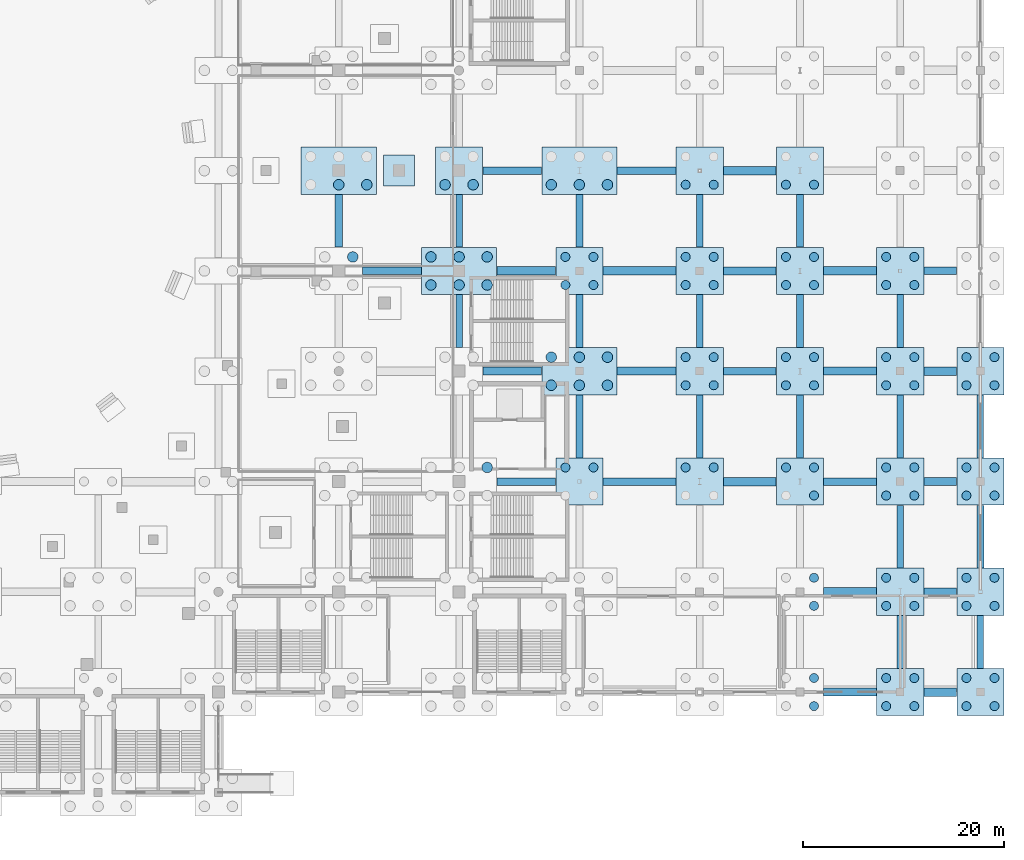
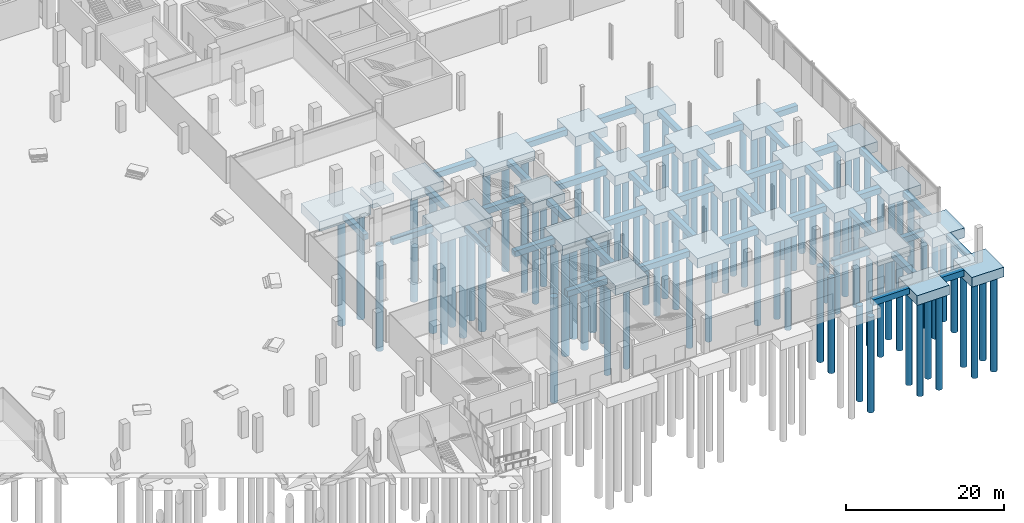
# One storey, part 7 of 70: 92 piles, 67 footings.
"""IFC4 building model written with IfcOpenShell, lengths in metres."""

from ifc_helpers import new_model, si_unit, direction, frame, origin, origin_2d, place, context, subcontext, project, spatial, rectangle, circle, extrude, material, layer, layer_set, material_profile, profile_set, type_object, element, save


model = new_model("IFC4")

# Units and contexts
model_context = context("Model", 3, precision=1e-05, world=origin(), true_north=direction((0.0, 1.0)))
body_context = subcontext(model_context, "Body", "Model", "MODEL_VIEW")
ifc_project = project(units=[si_unit("LENGTHUNIT", "METRE"), si_unit("AREAUNIT", "SQUARE_METRE"), si_unit("VOLUMEUNIT", "CUBIC_METRE"), si_unit("PLANEANGLEUNIT", "RADIAN"), si_unit("MASSUNIT", "GRAM", prefix="KILO")], contexts=[model_context])

# Site, building, storey
site_placement = place(None, origin())
site = spatial("IfcSite", under=ifc_project, at=site_placement, CompositionType="ELEMENT")
building_placement = place(site_placement, origin())
building = spatial("IfcBuilding", under=site, at=building_placement, Name="Brinegate Civic Arena", CompositionType="ELEMENT")
storey_placement = place(building_placement, origin())
storey = spatial("IfcBuildingStorey", under=building, at=storey_placement, Name="L00", CompositionType="ELEMENT", Elevation=0.0)

# Footings
ifc_material = material(Name="Concrete C40/50", Category="concrete")
ifc_layer_1 = layer(ifc_material, 1.5, Name="Concrete C40/50")
ifc_layer_set_1 = layer_set([ifc_layer_1], Name="Concrete C40/50")
footing_type_1 = type_object("IfcFootingType", Name="CAP-4PILE-3800", PredefinedType="PILE_CAP", material=ifc_layer_set_1)
for number, where, z_axis, x_axis, name in (
    (1, (156.0, 62.0, -1.800048828125), (0.0, 0.0, 1.0), (1.0, 0.0, 0.0), "Pile Cap CAP-150 (14-G)"),
    (2, (168.0, 31.0, -1.800048828125), (0.0, 0.0, 1.0), (1.0, 0.0, 0.0), "Pile Cap CAP-158 (15-D)"),
    (3, (168.0, 52.0, -1.800048828125), (0.0, 0.0, 1.0), (1.0, 0.0, 0.0), "Pile Cap CAP-160 (15-F)"),
    (4, (180.0, 31.0, -1.800048828125), (0.0, 0.0, 1.0), (1.0, 0.0, 0.0), "Pile Cap CAP-169 (16-D)"),
    (5, (180.0, 42.0, -1.800048828125), (0.0, 0.0, 1.0), (1.0, 0.0, 0.0), "Pile Cap CAP-170 (16-E)"),
    (6, (180.0, 52.0, -1.800048828125), (0.0, 0.0, 1.0), (1.0, 0.0, 0.0), "Pile Cap CAP-171 (16-F)"),
    (7, (180.0, 62.0, -1.800048828125), (0.0, 0.0, 1.0), (1.0, 0.0, 0.0), "Pile Cap CAP-172 (16-G)"),
    (8, (190.0, 31.0, -1.800048828125), (0.0, 0.0, 1.0), (1.0, 0.0, 0.0), "Pile Cap CAP-178 (17-D)"),
    (9, (190.0, 42.0, -1.800048828125), (0.0, 0.0, 1.0), (1.0, 0.0, 0.0), "Pile Cap CAP-179 (17-E)"),
    (10, (190.0, 52.0, -1.800048828125), (0.0, 0.0, 1.0), (1.0, 0.0, 0.0), "Pile Cap CAP-180 (17-F)"),
    (11, (190.0, 62.0, -1.800048828125), (0.0, 0.0, 1.0), (1.0, 0.0, 0.0), "Pile Cap CAP-181 (17-G)"),
    (12, (200.0, 10.0, -1.800048828125), (0.0, 0.0, 1.0), (1.0, 0.0, 0.0), "Pile Cap CAP-185 (18-B)"),
    (13, (200.0, 20.0, -1.800048828125), (0.0, 0.0, 1.0), (1.0, 0.0, 0.0), "Pile Cap CAP-186 (18-C)"),
    (14, (200.0, 31.0, -1.800048828125), (0.0, 0.0, 1.0), (1.0, 0.0, 0.0), "Pile Cap CAP-187 (18-D)"),
    (15, (200.0, 42.0, -1.800048828125), (0.0, 0.0, 1.0), (1.0, 0.0, 0.0), "Pile Cap CAP-188 (18-E)"),
    (16, (200.0, 52.0, -1.800048828125), (0.0, 0.0, 1.0), (1.0, 0.0, 0.0), "Pile Cap CAP-189 (18-F)"),
    (17, (208.0, 10.0, -1.800048828125), (0.0, 0.0, 1.0), (1.0, 0.0, 0.0), "Pile Cap CAP-194 (19-B)"),
    (18, (208.0, 20.0, -1.800048828125), (0.0, 0.0, 1.0), (1.0, 0.0, 0.0), "Pile Cap CAP-195 (19-C)"),
    (19, (208.0, 31.0, -1.800048828125), (0.0, 0.0, 1.0), (1.0, 0.0, 0.0), "Pile Cap CAP-196 (19-D)"),
    (20, (208.0, 42.0, -1.800048828125), (0.0, 0.0, 1.0), (1.0, 0.0, 0.0), "Pile Cap CAP-197 (19-E)"),
):
    element("IfcFooting", number, at=place(storey_placement, frame(where, z_axis=z_axis, x_axis=x_axis)), inside=storey, type_object=footing_type_1, Name=name, PredefinedType="PILE_CAP", context=body_context, shape_type="SweptSolid", body=[
        extrude(rectangle(XDim=4.699951171875, YDim=4.699951171875, at=origin_2d()), origin(), (0.0, 0.0, 1.0), 1.5),
    ])
ifc_layer_2 = layer(ifc_material, 1.5, Name="Concrete C40/50")
ifc_layer_set_2 = layer_set([ifc_layer_2], Name="Concrete C40/50")
footing_type_2 = type_object("IfcFootingType", Name="CAP-6PILE-5400", PredefinedType="PILE_CAP", material=ifc_layer_set_2)
for number, where, z_axis, x_axis, name in (
    (21, (144.0, 62.0, -1.800048828125), (0.0, 0.0, 1.0), (1.0, 0.0, 0.0), "Pile Cap CAP-139 (13-G)"),
    (22, (156.0, 52.0, -1.800048828125), (0.0, 0.0, 1.0), (1.0, 0.0, 0.0), "Pile Cap CAP-149 (14-F)"),
    (23, (168.0, 42.0, -1.800048828125), (0.0, 0.0, 1.0), (1.0, 0.0, 0.0), "Pile Cap CAP-159 (15-E)"),
    (24, (168.0, 62.0, -1.800048828125), (0.0, 0.0, 1.0), (1.0, 0.0, 0.0), "Pile Cap CAP-161 (15-G)"),
):
    element("IfcFooting", number, at=place(storey_placement, frame(where, z_axis=z_axis, x_axis=x_axis)), inside=storey, type_object=footing_type_2, Name=name, PredefinedType="PILE_CAP", context=body_context, shape_type="SweptSolid", body=[
        extrude(rectangle(XDim=7.5, YDim=4.699951171875, at=origin_2d()), origin(), (0.0, 0.0, 1.0), 1.5),
    ])
ifc_layer_3 = layer(ifc_material, 1.300048828125, Name="Concrete C40/50")
ifc_layer_set_3 = layer_set([ifc_layer_3], Name="Concrete C40/50")
footing_type_3 = type_object("IfcFootingType", Name="PAD-FOOT-3100", PredefinedType="PAD_FOOTING", material=ifc_layer_set_3)
footing_1_placement = place(storey_placement, frame((150.0, 62.0, -1.60009765625), z_axis=(0.0, 0.0, 1.0), x_axis=(1.0, 0.0, 0.0)))
element("IfcFooting", 25, at=footing_1_placement, inside=storey, type_object=footing_type_3, Name="Pad Footing PAD-019", PredefinedType="PAD_FOOTING", context=body_context, shape_type="SweptSolid", body=[
    extrude(rectangle(XDim=3.10009765625, YDim=3.10009765625, at=origin_2d()), origin(), (0.0, 0.0, 1.0), 1.300048828125),
])

# Piles
ifc_material_profile_1 = material_profile(ifc_material, circle(Radius=0.52490234375, at=origin_2d()), Name="PILED1050")
ifc_profile_set_1 = profile_set([ifc_material_profile_1], Name="Concrete C40/50")
pile_type_1 = type_object("IfcPileType", Name="PILE-BORED-1050", PredefinedType="BORED", material=ifc_profile_set_1)
for number, where, z_axis, x_axis, name in (
    (26, (145.39990234375, 53.39990234375, -1.699951171875), (0.0, 0.0, -1.0), (1.0, 0.0, 0.0), "Bored Socket Pile PIL-0488"),
    (27, (144.0, 60.60009765625, -1.699951171875), (0.0, 0.0, -1.0), (1.0, 0.0, 0.0), "Bored Socket Pile PIL-0490"),
    (28, (146.800048828125, 60.60009765625, -1.699951171875), (0.0, 0.0, -1.0), (1.0, 0.0, 0.0), "Bored Socket Pile PIL-0491"),
    (29, (158.800048828125, 32.39990234375, -1.699951171875), (0.0, 0.0, -1.0), (1.0, 0.0, 0.0), "Bored Socket Pile PIL-0534"),
    (30, (153.199951171875, 50.60009765625, -1.699951171875), (0.0, 0.0, -1.0), (1.0, 0.0, 0.0), "Bored Socket Pile PIL-0539"),
    (31, (156.0, 50.60009765625, -1.699951171875), (0.0, 0.0, -1.0), (1.0, 0.0, 0.0), "Bored Socket Pile PIL-0540"),
    (32, (158.800048828125, 50.60009765625, -1.699951171875), (0.0, 0.0, -1.0), (1.0, 0.0, 0.0), "Bored Socket Pile PIL-0541"),
    (33, (153.199951171875, 53.39990234375, -1.699951171875), (0.0, 0.0, -1.0), (1.0, 0.0, 0.0), "Bored Socket Pile PIL-0542"),
    (34, (156.0, 53.39990234375, -1.699951171875), (0.0, 0.0, -1.0), (1.0, 0.0, 0.0), "Bored Socket Pile PIL-0543"),
    (35, (158.800048828125, 53.39990234375, -1.699951171875), (0.0, 0.0, -1.0), (1.0, 0.0, 0.0), "Bored Socket Pile PIL-0544"),
    (36, (154.60009765625, 60.60009765625, -1.699951171875), (0.0, 0.0, -1.0), (1.0, 0.0, 0.0), "Bored Socket Pile PIL-0545"),
    (37, (157.39990234375, 60.60009765625, -1.699951171875), (0.0, 0.0, -1.0), (1.0, 0.0, 0.0), "Bored Socket Pile PIL-0546"),
    (38, (165.199951171875, 40.60009765625, -1.699951171875), (0.0, 0.0, -1.0), (1.0, 0.0, 0.0), "Bored Socket Pile PIL-0589"),
    (39, (168.0, 40.60009765625, -1.699951171875), (0.0, 0.0, -1.0), (1.0, 0.0, 0.0), "Bored Socket Pile PIL-0590"),
    (40, (170.800048828125, 40.60009765625, -1.699951171875), (0.0, 0.0, -1.0), (1.0, 0.0, 0.0), "Bored Socket Pile PIL-0591"),
    (41, (165.199951171875, 43.39990234375, -1.699951171875), (0.0, 0.0, -1.0), (1.0, 0.0, 0.0), "Bored Socket Pile PIL-0592"),
    (42, (168.0, 43.39990234375, -1.699951171875), (0.0, 0.0, -1.0), (1.0, 0.0, 0.0), "Bored Socket Pile PIL-0593"),
    (43, (170.800048828125, 43.39990234375, -1.699951171875), (0.0, 0.0, -1.0), (1.0, 0.0, 0.0), "Bored Socket Pile PIL-0594"),
    (44, (165.199951171875, 60.60009765625, -1.699951171875), (0.0, 0.0, -1.0), (1.0, 0.0, 0.0), "Bored Socket Pile PIL-0599"),
    (45, (168.0, 60.60009765625, -1.699951171875), (0.0, 0.0, -1.0), (1.0, 0.0, 0.0), "Bored Socket Pile PIL-0600"),
    (46, (170.800048828125, 60.60009765625, -1.699951171875), (0.0, 0.0, -1.0), (1.0, 0.0, 0.0), "Bored Socket Pile PIL-0601"),
):
    element("IfcPile", number, at=place(storey_placement, frame(where, z_axis=z_axis, x_axis=x_axis)), inside=storey, type_object=pile_type_1, Name=name, PredefinedType="BORED", context=body_context, shape_type="SweptSolid", body=[
        extrude(circle(Radius=0.52490234375, at=origin_2d()), origin(), (0.0, 0.0, 1.0), 16.300048828125),
    ])
ifc_material_profile_2 = material_profile(ifc_material, circle(Radius=0.449951171875, at=origin_2d()), Name="PILED900")
ifc_profile_set_2 = profile_set([ifc_material_profile_2], Name="Concrete C40/50")
pile_type_2 = type_object("IfcPileType", Name="PILE-BORED-900", PredefinedType="BORED", material=ifc_profile_set_2)
for number, where, z_axis, x_axis, name in (
    (47, (166.60009765625, 32.39990234375, -1.699951171875), (0.0, 0.0, -1.0), (1.0, 0.0, 0.0), "Bored Socket Pile PIL-0587"),
    (48, (169.39990234375, 32.39990234375, -1.699951171875), (0.0, 0.0, -1.0), (1.0, 0.0, 0.0), "Bored Socket Pile PIL-0588"),
    (49, (166.60009765625, 50.60009765625, -1.699951171875), (0.0, 0.0, -1.0), (1.0, 0.0, 0.0), "Bored Socket Pile PIL-0595"),
    (50, (169.39990234375, 50.60009765625, -1.699951171875), (0.0, 0.0, -1.0), (1.0, 0.0, 0.0), "Bored Socket Pile PIL-0596"),
    (51, (166.60009765625, 53.39990234375, -1.699951171875), (0.0, 0.0, -1.0), (1.0, 0.0, 0.0), "Bored Socket Pile PIL-0597"),
    (52, (169.39990234375, 53.39990234375, -1.699951171875), (0.0, 0.0, -1.0), (1.0, 0.0, 0.0), "Bored Socket Pile PIL-0598"),
    (53, (178.60009765625, 32.39990234375, -1.699951171875), (0.0, 0.0, -1.0), (1.0, 0.0, 0.0), "Bored Socket Pile PIL-0639"),
    (54, (181.39990234375, 32.39990234375, -1.699951171875), (0.0, 0.0, -1.0), (1.0, 0.0, 0.0), "Bored Socket Pile PIL-0640"),
    (55, (178.60009765625, 40.60009765625, -1.699951171875), (0.0, 0.0, -1.0), (1.0, 0.0, 0.0), "Bored Socket Pile PIL-0641"),
    (56, (181.39990234375, 40.60009765625, -1.699951171875), (0.0, 0.0, -1.0), (1.0, 0.0, 0.0), "Bored Socket Pile PIL-0642"),
    (57, (178.60009765625, 43.39990234375, -1.699951171875), (0.0, 0.0, -1.0), (1.0, 0.0, 0.0), "Bored Socket Pile PIL-0643"),
    (58, (181.39990234375, 43.39990234375, -1.699951171875), (0.0, 0.0, -1.0), (1.0, 0.0, 0.0), "Bored Socket Pile PIL-0644"),
    (59, (178.60009765625, 50.60009765625, -1.699951171875), (0.0, 0.0, -1.0), (1.0, 0.0, 0.0), "Bored Socket Pile PIL-0645"),
    (60, (181.39990234375, 50.60009765625, -1.699951171875), (0.0, 0.0, -1.0), (1.0, 0.0, 0.0), "Bored Socket Pile PIL-0646"),
    (61, (178.60009765625, 53.39990234375, -1.699951171875), (0.0, 0.0, -1.0), (1.0, 0.0, 0.0), "Bored Socket Pile PIL-0647"),
    (62, (181.39990234375, 53.39990234375, -1.699951171875), (0.0, 0.0, -1.0), (1.0, 0.0, 0.0), "Bored Socket Pile PIL-0648"),
    (63, (178.60009765625, 60.60009765625, -1.699951171875), (0.0, 0.0, -1.0), (1.0, 0.0, 0.0), "Bored Socket Pile PIL-0649"),
    (64, (181.39990234375, 60.60009765625, -1.699951171875), (0.0, 0.0, -1.0), (1.0, 0.0, 0.0), "Bored Socket Pile PIL-0650"),
    (65, (191.39990234375, 8.60009765625, -1.699951171875), (0.0, 0.0, -1.0), (1.0, 0.0, 0.0), "Bored Socket Pile PIL-0666"),
    (66, (191.39990234375, 11.39990234375, -1.699951171875), (0.0, 0.0, -1.0), (1.0, 0.0, 0.0), "Bored Socket Pile PIL-0668"),
    (67, (191.39990234375, 18.60009765625, -1.699951171875), (0.0, 0.0, -1.0), (1.0, 0.0, 0.0), "Bored Socket Pile PIL-0670"),
    (68, (191.39990234375, 21.39990234375, -1.699951171875), (0.0, 0.0, -1.0), (1.0, 0.0, 0.0), "Bored Socket Pile PIL-0672"),
    (69, (191.39990234375, 29.60009765625, -1.699951171875), (0.0, 0.0, -1.0), (1.0, 0.0, 0.0), "Bored Socket Pile PIL-0674"),
    (70, (188.60009765625, 32.39990234375, -1.699951171875), (0.0, 0.0, -1.0), (1.0, 0.0, 0.0), "Bored Socket Pile PIL-0675"),
    (71, (191.39990234375, 32.39990234375, -1.699951171875), (0.0, 0.0, -1.0), (1.0, 0.0, 0.0), "Bored Socket Pile PIL-0676"),
    (72, (188.60009765625, 40.60009765625, -1.699951171875), (0.0, 0.0, -1.0), (1.0, 0.0, 0.0), "Bored Socket Pile PIL-0677"),
    (73, (191.39990234375, 40.60009765625, -1.699951171875), (0.0, 0.0, -1.0), (1.0, 0.0, 0.0), "Bored Socket Pile PIL-0678"),
    (74, (188.60009765625, 43.39990234375, -1.699951171875), (0.0, 0.0, -1.0), (1.0, 0.0, 0.0), "Bored Socket Pile PIL-0679"),
    (75, (191.39990234375, 43.39990234375, -1.699951171875), (0.0, 0.0, -1.0), (1.0, 0.0, 0.0), "Bored Socket Pile PIL-0680"),
    (76, (188.60009765625, 50.60009765625, -1.699951171875), (0.0, 0.0, -1.0), (1.0, 0.0, 0.0), "Bored Socket Pile PIL-0681"),
    (77, (191.39990234375, 50.60009765625, -1.699951171875), (0.0, 0.0, -1.0), (1.0, 0.0, 0.0), "Bored Socket Pile PIL-0682"),
    (78, (188.60009765625, 53.39990234375, -1.699951171875), (0.0, 0.0, -1.0), (1.0, 0.0, 0.0), "Bored Socket Pile PIL-0683"),
    (79, (191.39990234375, 53.39990234375, -1.699951171875), (0.0, 0.0, -1.0), (1.0, 0.0, 0.0), "Bored Socket Pile PIL-0684"),
    (80, (188.60009765625, 60.60009765625, -1.699951171875), (0.0, 0.0, -1.0), (1.0, 0.0, 0.0), "Bored Socket Pile PIL-0685"),
    (81, (191.39990234375, 60.60009765625, -1.699951171875), (0.0, 0.0, -1.0), (1.0, 0.0, 0.0), "Bored Socket Pile PIL-0686"),
    (82, (198.60009765625, 8.60009765625, -1.699951171875), (0.0, 0.0, -1.0), (1.0, 0.0, 0.0), "Bored Socket Pile PIL-0701"),
    (83, (201.39990234375, 8.60009765625, -1.699951171875), (0.0, 0.0, -1.0), (1.0, 0.0, 0.0), "Bored Socket Pile PIL-0702"),
    (84, (198.60009765625, 11.39990234375, -1.699951171875), (0.0, 0.0, -1.0), (1.0, 0.0, 0.0), "Bored Socket Pile PIL-0703"),
    (85, (201.39990234375, 11.39990234375, -1.699951171875), (0.0, 0.0, -1.0), (1.0, 0.0, 0.0), "Bored Socket Pile PIL-0704"),
    (86, (198.60009765625, 18.60009765625, -1.699951171875), (0.0, 0.0, -1.0), (1.0, 0.0, 0.0), "Bored Socket Pile PIL-0705"),
    (87, (201.39990234375, 18.60009765625, -1.699951171875), (0.0, 0.0, -1.0), (1.0, 0.0, 0.0), "Bored Socket Pile PIL-0706"),
    (88, (198.60009765625, 21.39990234375, -1.699951171875), (0.0, 0.0, -1.0), (1.0, 0.0, 0.0), "Bored Socket Pile PIL-0707"),
    (89, (201.39990234375, 21.39990234375, -1.699951171875), (0.0, 0.0, -1.0), (1.0, 0.0, 0.0), "Bored Socket Pile PIL-0708"),
    (90, (198.60009765625, 29.60009765625, -1.699951171875), (0.0, 0.0, -1.0), (1.0, 0.0, 0.0), "Bored Socket Pile PIL-0709"),
    (91, (201.39990234375, 29.60009765625, -1.699951171875), (0.0, 0.0, -1.0), (1.0, 0.0, 0.0), "Bored Socket Pile PIL-0710"),
    (92, (198.60009765625, 32.39990234375, -1.699951171875), (0.0, 0.0, -1.0), (1.0, 0.0, 0.0), "Bored Socket Pile PIL-0711"),
    (93, (201.39990234375, 32.39990234375, -1.699951171875), (0.0, 0.0, -1.0), (1.0, 0.0, 0.0), "Bored Socket Pile PIL-0712"),
    (94, (198.60009765625, 40.60009765625, -1.699951171875), (0.0, 0.0, -1.0), (1.0, 0.0, 0.0), "Bored Socket Pile PIL-0713"),
    (95, (201.39990234375, 40.60009765625, -1.699951171875), (0.0, 0.0, -1.0), (1.0, 0.0, 0.0), "Bored Socket Pile PIL-0714"),
    (96, (198.60009765625, 43.39990234375, -1.699951171875), (0.0, 0.0, -1.0), (1.0, 0.0, 0.0), "Bored Socket Pile PIL-0715"),
    (97, (201.39990234375, 43.39990234375, -1.699951171875), (0.0, 0.0, -1.0), (1.0, 0.0, 0.0), "Bored Socket Pile PIL-0716"),
    (98, (198.60009765625, 50.60009765625, -1.699951171875), (0.0, 0.0, -1.0), (1.0, 0.0, 0.0), "Bored Socket Pile PIL-0717"),
    (99, (201.39990234375, 50.60009765625, -1.699951171875), (0.0, 0.0, -1.0), (1.0, 0.0, 0.0), "Bored Socket Pile PIL-0718"),
    (100, (198.60009765625, 53.39990234375, -1.699951171875), (0.0, 0.0, -1.0), (1.0, 0.0, 0.0), "Bored Socket Pile PIL-0719"),
    (101, (201.39990234375, 53.39990234375, -1.699951171875), (0.0, 0.0, -1.0), (1.0, 0.0, 0.0), "Bored Socket Pile PIL-0720"),
    (102, (206.60009765625, 8.60009765625, -1.699951171875), (0.0, 0.0, -1.0), (1.0, 0.0, 0.0), "Bored Socket Pile PIL-0737"),
    (103, (209.39990234375, 8.60009765625, -1.699951171875), (0.0, 0.0, -1.0), (1.0, 0.0, 0.0), "Bored Socket Pile PIL-0738"),
    (104, (206.60009765625, 11.39990234375, -1.699951171875), (0.0, 0.0, -1.0), (1.0, 0.0, 0.0), "Bored Socket Pile PIL-0739"),
    (105, (209.39990234375, 11.39990234375, -1.699951171875), (0.0, 0.0, -1.0), (1.0, 0.0, 0.0), "Bored Socket Pile PIL-0740"),
    (106, (206.60009765625, 18.60009765625, -1.699951171875), (0.0, 0.0, -1.0), (1.0, 0.0, 0.0), "Bored Socket Pile PIL-0741"),
    (107, (209.39990234375, 18.60009765625, -1.699951171875), (0.0, 0.0, -1.0), (1.0, 0.0, 0.0), "Bored Socket Pile PIL-0742"),
    (108, (206.60009765625, 21.39990234375, -1.699951171875), (0.0, 0.0, -1.0), (1.0, 0.0, 0.0), "Bored Socket Pile PIL-0743"),
    (109, (209.39990234375, 21.39990234375, -1.699951171875), (0.0, 0.0, -1.0), (1.0, 0.0, 0.0), "Bored Socket Pile PIL-0744"),
    (110, (206.60009765625, 29.60009765625, -1.699951171875), (0.0, 0.0, -1.0), (1.0, 0.0, 0.0), "Bored Socket Pile PIL-0745"),
    (111, (209.39990234375, 29.60009765625, -1.699951171875), (0.0, 0.0, -1.0), (1.0, 0.0, 0.0), "Bored Socket Pile PIL-0746"),
    (112, (206.60009765625, 32.39990234375, -1.699951171875), (0.0, 0.0, -1.0), (1.0, 0.0, 0.0), "Bored Socket Pile PIL-0747"),
    (113, (209.39990234375, 32.39990234375, -1.699951171875), (0.0, 0.0, -1.0), (1.0, 0.0, 0.0), "Bored Socket Pile PIL-0748"),
    (114, (206.60009765625, 40.60009765625, -1.699951171875), (0.0, 0.0, -1.0), (1.0, 0.0, 0.0), "Bored Socket Pile PIL-0749"),
    (115, (209.39990234375, 40.60009765625, -1.699951171875), (0.0, 0.0, -1.0), (1.0, 0.0, 0.0), "Bored Socket Pile PIL-0750"),
    (116, (206.60009765625, 43.39990234375, -1.699951171875), (0.0, 0.0, -1.0), (1.0, 0.0, 0.0), "Bored Socket Pile PIL-0751"),
    (117, (209.39990234375, 43.39990234375, -1.699951171875), (0.0, 0.0, -1.0), (1.0, 0.0, 0.0), "Bored Socket Pile PIL-0752"),
):
    element("IfcPile", number, at=place(storey_placement, frame(where, z_axis=z_axis, x_axis=x_axis)), inside=storey, type_object=pile_type_2, Name=name, PredefinedType="BORED", context=body_context, shape_type="SweptSolid", body=[
        extrude(circle(Radius=0.449951171875, at=origin_2d()), origin(), (0.0, 0.0, 1.0), 14.800048828125),
    ])

# Footings
ifc_layer_4 = layer(ifc_material, 0.89990234375, Name="Concrete C40/50")
ifc_layer_set_4 = layer_set([ifc_layer_4], Name="Concrete C40/50")
footing_type_4 = type_object("IfcFootingType", Name="TIE-BEAM-650X900", PredefinedType="FOOTING_BEAM", material=ifc_layer_set_4)
for number, where, z_axis, x_axis, name in (
    (118, (156.0, 47.0, -1.199951171875), (0.0, 0.0, 1.0), (0.0, 1.0, 0.0), "Ground Tie Beam GTB-250"),
    (119, (156.0, 57.0, -1.199951171875), (0.0, 0.0, 1.0), (0.0, 1.0, 0.0), "Ground Tie Beam GTB-252"),
):
    element("IfcFooting", number, at=place(storey_placement, frame(where, z_axis=z_axis, x_axis=x_axis)), inside=storey, type_object=footing_type_4, Name=name, PredefinedType="FOOTING_BEAM", context=body_context, shape_type="SweptSolid", body=[
        extrude(rectangle(XDim=5.260009765625, YDim=0.64990234375, at=origin_2d()), origin(), (0.0, 0.0, 1.0), 0.89990234375),
    ])
footing_2_placement = place(storey_placement, frame((180.0, 36.5, -1.199951171875), z_axis=(0.0, 0.0, 1.0), x_axis=(0.0, 1.0, 0.0)))
element("IfcFooting", 120, at=footing_2_placement, inside=storey, type_object=footing_type_4, Name="Ground Tie Beam GTB-288", PredefinedType="FOOTING_BEAM", context=body_context, shape_type="SweptSolid", body=[
    extrude(rectangle(XDim=6.260009765625, YDim=0.64990234375, at=origin_2d()), origin(), (0.0, 0.0, 1.0), 0.89990234375),
])
for number, where, z_axis, x_axis, name in (
    (121, (180.0, 47.0, -1.199951171875), (0.0, 0.0, 1.0), (0.0, 1.0, 0.0), "Ground Tie Beam GTB-290"),
    (122, (180.0, 57.0, -1.199951171875), (0.0, 0.0, 1.0), (0.0, 1.0, 0.0), "Ground Tie Beam GTB-292"),
    (123, (200.0, 15.0, -1.199951171875), (0.0, 0.0, 1.0), (0.0, 1.0, 0.0), "Ground Tie Beam GTB-318"),
):
    element("IfcFooting", number, at=place(storey_placement, frame(where, z_axis=z_axis, x_axis=x_axis)), inside=storey, type_object=footing_type_4, Name=name, PredefinedType="FOOTING_BEAM", context=body_context, shape_type="SweptSolid", body=[
        extrude(rectangle(XDim=5.260009765625, YDim=0.64990234375, at=origin_2d()), origin(), (0.0, 0.0, 1.0), 0.89990234375),
    ])
for number, where, z_axis, x_axis, name in (
    (124, (200.0, 25.5, -1.199951171875), (0.0, 0.0, 1.0), (0.0, 1.0, 0.0), "Ground Tie Beam GTB-320"),
    (125, (200.0, 36.5, -1.199951171875), (0.0, 0.0, 1.0), (0.0, 1.0, 0.0), "Ground Tie Beam GTB-322"),
):
    element("IfcFooting", number, at=place(storey_placement, frame(where, z_axis=z_axis, x_axis=x_axis)), inside=storey, type_object=footing_type_4, Name=name, PredefinedType="FOOTING_BEAM", context=body_context, shape_type="SweptSolid", body=[
        extrude(rectangle(XDim=6.260009765625, YDim=0.64990234375, at=origin_2d()), origin(), (0.0, 0.0, 1.0), 0.89990234375),
    ])
for number, where, z_axis, x_axis, name in (
    (126, (200.0, 47.0, -1.199951171875), (0.0, 0.0, 1.0), (0.0, 1.0, 0.0), "Ground Tie Beam GTB-324"),
    (127, (208.0, 15.0, -1.199951171875), (0.0, 0.0, 1.0), (0.0, 1.0, 0.0), "Ground Tie Beam GTB-334"),
):
    element("IfcFooting", number, at=place(storey_placement, frame(where, z_axis=z_axis, x_axis=x_axis)), inside=storey, type_object=footing_type_4, Name=name, PredefinedType="FOOTING_BEAM", context=body_context, shape_type="SweptSolid", body=[
        extrude(rectangle(XDim=5.260009765625, YDim=0.64990234375, at=origin_2d()), origin(), (0.0, 0.0, 1.0), 0.89990234375),
    ])
footing_3_placement = place(storey_placement, frame((208.0, 36.5, -1.199951171875), z_axis=(0.0, 0.0, 1.0), x_axis=(0.0, 1.0, 0.0)))
element("IfcFooting", 128, at=footing_3_placement, inside=storey, type_object=footing_type_4, Name="Ground Tie Beam GTB-336", PredefinedType="FOOTING_BEAM", context=body_context, shape_type="SweptSolid", body=[
    extrude(rectangle(XDim=6.260009765625, YDim=0.64990234375, at=origin_2d()), origin(), (0.0, 0.0, 1.0), 0.89990234375),
])
ifc_layer_5 = layer(ifc_material, 0.85009765625, Name="Concrete C40/50")
ifc_layer_set_5 = layer_set([ifc_layer_5], Name="Concrete C40/50")
footing_type_5 = type_object("IfcFootingType", Name="TIE-BEAM-700X850", PredefinedType="FOOTING_BEAM", material=ifc_layer_set_5)
footing_4_placement = place(storey_placement, frame((144.0, 57.0, -1.175048828125), z_axis=(0.0, 0.0, 1.0), x_axis=(0.0, 1.0, 0.0)))
element("IfcFooting", 129, at=footing_4_placement, inside=storey, type_object=footing_type_5, Name="Ground Tie Beam GTB-233", PredefinedType="FOOTING_BEAM", context=body_context, shape_type="SweptSolid", body=[
    extrude(rectangle(XDim=5.260009765625, YDim=0.699951171875, at=origin_2d()), origin(), (0.0, 0.0, 1.0), 0.85009765625),
])
footing_5_placement = place(storey_placement, frame((168.0, 36.5, -1.175048828125), z_axis=(0.0, 0.0, 1.0), x_axis=(0.0, 1.0, 0.0)))
element("IfcFooting", 130, at=footing_5_placement, inside=storey, type_object=footing_type_5, Name="Ground Tie Beam GTB-269", PredefinedType="FOOTING_BEAM", context=body_context, shape_type="SweptSolid", body=[
    extrude(rectangle(XDim=6.260009765625, YDim=0.699951171875, at=origin_2d()), origin(), (0.0, 0.0, 1.0), 0.85009765625),
])
for number, where, z_axis, x_axis, name in (
    (131, (168.0, 47.0, -1.175048828125), (0.0, 0.0, 1.0), (0.0, 1.0, 0.0), "Ground Tie Beam GTB-271"),
    (132, (168.0, 57.0, -1.175048828125), (0.0, 0.0, 1.0), (0.0, 1.0, 0.0), "Ground Tie Beam GTB-273"),
):
    element("IfcFooting", number, at=place(storey_placement, frame(where, z_axis=z_axis, x_axis=x_axis)), inside=storey, type_object=footing_type_5, Name=name, PredefinedType="FOOTING_BEAM", context=body_context, shape_type="SweptSolid", body=[
        extrude(rectangle(XDim=5.260009765625, YDim=0.699951171875, at=origin_2d()), origin(), (0.0, 0.0, 1.0), 0.85009765625),
    ])
footing_6_placement = place(storey_placement, frame((190.0, 36.5, -1.175048828125), z_axis=(0.0, 0.0, 1.0), x_axis=(0.0, 1.0, 0.0)))
element("IfcFooting", 133, at=footing_6_placement, inside=storey, type_object=footing_type_5, Name="Ground Tie Beam GTB-305", PredefinedType="FOOTING_BEAM", context=body_context, shape_type="SweptSolid", body=[
    extrude(rectangle(XDim=6.260009765625, YDim=0.699951171875, at=origin_2d()), origin(), (0.0, 0.0, 1.0), 0.85009765625),
])
for number, where, z_axis, x_axis, name in (
    (134, (190.0, 47.0, -1.175048828125), (0.0, 0.0, 1.0), (0.0, 1.0, 0.0), "Ground Tie Beam GTB-307"),
    (135, (190.0, 57.0, -1.175048828125), (0.0, 0.0, 1.0), (0.0, 1.0, 0.0), "Ground Tie Beam GTB-309"),
):
    element("IfcFooting", number, at=place(storey_placement, frame(where, z_axis=z_axis, x_axis=x_axis)), inside=storey, type_object=footing_type_5, Name=name, PredefinedType="FOOTING_BEAM", context=body_context, shape_type="SweptSolid", body=[
        extrude(rectangle(XDim=5.260009765625, YDim=0.699951171875, at=origin_2d()), origin(), (0.0, 0.0, 1.0), 0.85009765625),
    ])
footing_7_placement = place(storey_placement, frame((208.0, 25.5, -1.175048828125), z_axis=(0.0, 0.0, 1.0), x_axis=(0.0, 1.0, 0.0)))
element("IfcFooting", 136, at=footing_7_placement, inside=storey, type_object=footing_type_5, Name="Ground Tie Beam GTB-335", PredefinedType="FOOTING_BEAM", context=body_context, shape_type="SweptSolid", body=[
    extrude(rectangle(XDim=6.260009765625, YDim=0.699951171875, at=origin_2d()), origin(), (0.0, 0.0, 1.0), 0.85009765625),
])
ifc_layer_6 = layer(ifc_material, 0.89990234375, Name="Concrete C40/50")
ifc_layer_set_6 = layer_set([ifc_layer_6], Name="Concrete C40/50")
footing_type_6 = type_object("IfcFootingType", Name="TIE-BEAM-750X900", PredefinedType="FOOTING_BEAM", material=ifc_layer_set_6)
for number, where, z_axis, x_axis, name in (
    (137, (149.300048828125, 52.0, -1.199951171875), (0.0, 0.0, 1.0), (1.0, 0.0, 0.0), "Ground Tie Beam GTB-232"),
    (138, (162.699951171875, 31.0, -1.199951171875), (0.0, 0.0, 1.0), (1.0, 0.0, 0.0), "Ground Tie Beam GTB-247"),
    (139, (161.300048828125, 62.0, -1.199951171875), (0.0, 0.0, 1.0), (1.0, 0.0, 0.0), "Ground Tie Beam GTB-253"),
):
    element("IfcFooting", number, at=place(storey_placement, frame(where, z_axis=z_axis, x_axis=x_axis)), inside=storey, type_object=footing_type_6, Name=name, PredefinedType="FOOTING_BEAM", context=body_context, shape_type="SweptSolid", body=[
        extrude(rectangle(XDim=5.860107421875, YDim=0.75, at=origin_2d()), origin(), (0.0, 0.0, 1.0), 0.89990234375),
    ])
footing_8_placement = place(storey_placement, frame((174.0, 31.0, -1.199951171875), z_axis=(0.0, 0.0, 1.0), x_axis=(1.0, 0.0, 0.0)))
element("IfcFooting", 140, at=footing_8_placement, inside=storey, type_object=footing_type_6, Name="Ground Tie Beam GTB-268", PredefinedType="FOOTING_BEAM", context=body_context, shape_type="SweptSolid", body=[
    extrude(rectangle(XDim=7.260009765625, YDim=0.75, at=origin_2d()), origin(), (0.0, 0.0, 1.0), 0.89990234375),
])
footing_9_placement = place(storey_placement, frame((174.699951171875, 62.0, -1.199951171875), z_axis=(0.0, 0.0, 1.0), x_axis=(1.0, 0.0, 0.0)))
element("IfcFooting", 141, at=footing_9_placement, inside=storey, type_object=footing_type_6, Name="Ground Tie Beam GTB-274", PredefinedType="FOOTING_BEAM", context=body_context, shape_type="SweptSolid", body=[
    extrude(rectangle(XDim=5.860107421875, YDim=0.75, at=origin_2d()), origin(), (0.0, 0.0, 1.0), 0.89990234375),
])
for number, where, z_axis, x_axis, name in (
    (142, (185.0, 42.0, -1.199951171875), (0.0, 0.0, 1.0), (1.0, 0.0, 0.0), "Ground Tie Beam GTB-289"),
    (143, (195.0, 31.0, -1.199951171875), (0.0, 0.0, 1.0), (1.0, 0.0, 0.0), "Ground Tie Beam GTB-304"),
):
    element("IfcFooting", number, at=place(storey_placement, frame(where, z_axis=z_axis, x_axis=x_axis)), inside=storey, type_object=footing_type_6, Name=name, PredefinedType="FOOTING_BEAM", context=body_context, shape_type="SweptSolid", body=[
        extrude(rectangle(XDim=5.260009765625, YDim=0.75, at=origin_2d()), origin(), (0.0, 0.0, 1.0), 0.89990234375),
    ])
for number, where, z_axis, x_axis, name in (
    (144, (204.0, 20.0, -1.199951171875), (0.0, 0.0, 1.0), (1.0, 0.0, 0.0), "Ground Tie Beam GTB-319"),
    (145, (204.0, 52.0, -1.199951171875), (0.0, 0.0, 1.0), (1.0, 0.0, 0.0), "Ground Tie Beam GTB-325"),
):
    element("IfcFooting", number, at=place(storey_placement, frame(where, z_axis=z_axis, x_axis=x_axis)), inside=storey, type_object=footing_type_6, Name=name, PredefinedType="FOOTING_BEAM", context=body_context, shape_type="SweptSolid", body=[
        extrude(rectangle(XDim=3.260009765625, YDim=0.75, at=origin_2d()), origin(), (0.0, 0.0, 1.0), 0.89990234375),
    ])
ifc_layer_7 = layer(ifc_material, 0.89990234375, Name="Concrete C40/50")
ifc_layer_set_7 = layer_set([ifc_layer_7], Name="Concrete C40/50")
footing_type_7 = type_object("IfcFootingType", Name="TIE-BEAM-800X900", PredefinedType="FOOTING_BEAM", material=ifc_layer_set_7)
for number, where, z_axis, x_axis, name in (
    (146, (161.300048828125, 42.0, -1.199951171875), (0.0, 0.0, 1.0), (1.0, 0.0, 0.0), "Ground Tie Beam GTB-249"),
    (147, (174.699951171875, 42.0, -1.199951171875), (0.0, 0.0, 1.0), (1.0, 0.0, 0.0), "Ground Tie Beam GTB-270"),
):
    element("IfcFooting", number, at=place(storey_placement, frame(where, z_axis=z_axis, x_axis=x_axis)), inside=storey, type_object=footing_type_7, Name=name, PredefinedType="FOOTING_BEAM", context=body_context, shape_type="SweptSolid", body=[
        extrude(rectangle(XDim=5.860107421875, YDim=0.800048828125, at=origin_2d()), origin(), (0.0, 0.0, 1.0), 0.89990234375),
    ])
for number, where, z_axis, x_axis, name in (
    (148, (185.0, 52.0, -1.199951171875), (0.0, 0.0, 1.0), (1.0, 0.0, 0.0), "Ground Tie Beam GTB-291"),
    (149, (195.0, 10.0, -1.199951171875), (0.0, 0.0, 1.0), (1.0, 0.0, 0.0), "Ground Tie Beam GTB-300"),
    (150, (195.0, 42.0, -1.199951171875), (0.0, 0.0, 1.0), (1.0, 0.0, 0.0), "Ground Tie Beam GTB-306"),
):
    element("IfcFooting", number, at=place(storey_placement, frame(where, z_axis=z_axis, x_axis=x_axis)), inside=storey, type_object=footing_type_7, Name=name, PredefinedType="FOOTING_BEAM", context=body_context, shape_type="SweptSolid", body=[
        extrude(rectangle(XDim=5.260009765625, YDim=0.800048828125, at=origin_2d()), origin(), (0.0, 0.0, 1.0), 0.89990234375),
    ])
footing_10_placement = place(storey_placement, frame((204.0, 31.0, -1.199951171875), z_axis=(0.0, 0.0, 1.0), x_axis=(1.0, 0.0, 0.0)))
element("IfcFooting", 151, at=footing_10_placement, inside=storey, type_object=footing_type_7, Name="Ground Tie Beam GTB-321", PredefinedType="FOOTING_BEAM", context=body_context, shape_type="SweptSolid", body=[
    extrude(rectangle(XDim=3.260009765625, YDim=0.800048828125, at=origin_2d()), origin(), (0.0, 0.0, 1.0), 0.89990234375),
])
ifc_layer_8 = layer(ifc_material, 0.949951171875, Name="Concrete C40/50")
ifc_layer_set_8 = layer_set([ifc_layer_8], Name="Concrete C40/50")
footing_type_8 = type_object("IfcFootingType", Name="TIE-BEAM-850X950", PredefinedType="FOOTING_BEAM", material=ifc_layer_set_8)
footing_11_placement = place(storey_placement, frame((162.699951171875, 52.0, -1.22509765625), z_axis=(0.0, 0.0, 1.0), x_axis=(1.0, 0.0, 0.0)))
element("IfcFooting", 152, at=footing_11_placement, inside=storey, type_object=footing_type_8, Name="Ground Tie Beam GTB-251", PredefinedType="FOOTING_BEAM", context=body_context, shape_type="SweptSolid", body=[
    extrude(rectangle(XDim=5.860107421875, YDim=0.85009765625, at=origin_2d()), origin(), (0.0, 0.0, 1.0), 0.949951171875),
])
footing_12_placement = place(storey_placement, frame((174.0, 52.0, -1.22509765625), z_axis=(0.0, 0.0, 1.0), x_axis=(1.0, 0.0, 0.0)))
element("IfcFooting", 153, at=footing_12_placement, inside=storey, type_object=footing_type_8, Name="Ground Tie Beam GTB-272", PredefinedType="FOOTING_BEAM", context=body_context, shape_type="SweptSolid", body=[
    extrude(rectangle(XDim=7.260009765625, YDim=0.85009765625, at=origin_2d()), origin(), (0.0, 0.0, 1.0), 0.949951171875),
])
for number, where, z_axis, x_axis, name in (
    (154, (185.0, 31.0, -1.22509765625), (0.0, 0.0, 1.0), (1.0, 0.0, 0.0), "Ground Tie Beam GTB-287"),
    (155, (185.0, 62.0, -1.22509765625), (0.0, 0.0, 1.0), (1.0, 0.0, 0.0), "Ground Tie Beam GTB-293"),
    (156, (195.0, 20.0, -1.22509765625), (0.0, 0.0, 1.0), (1.0, 0.0, 0.0), "Ground Tie Beam GTB-302"),
    (157, (195.0, 52.0, -1.22509765625), (0.0, 0.0, 1.0), (1.0, 0.0, 0.0), "Ground Tie Beam GTB-308"),
):
    element("IfcFooting", number, at=place(storey_placement, frame(where, z_axis=z_axis, x_axis=x_axis)), inside=storey, type_object=footing_type_8, Name=name, PredefinedType="FOOTING_BEAM", context=body_context, shape_type="SweptSolid", body=[
        extrude(rectangle(XDim=5.260009765625, YDim=0.85009765625, at=origin_2d()), origin(), (0.0, 0.0, 1.0), 0.949951171875),
    ])
for number, where, z_axis, x_axis, name in (
    (158, (204.0, 10.0, -1.22509765625), (0.0, 0.0, 1.0), (1.0, 0.0, 0.0), "Ground Tie Beam GTB-317"),
    (159, (204.0, 42.0, -1.22509765625), (0.0, 0.0, 1.0), (1.0, 0.0, 0.0), "Ground Tie Beam GTB-323"),
):
    element("IfcFooting", number, at=place(storey_placement, frame(where, z_axis=z_axis, x_axis=x_axis)), inside=storey, type_object=footing_type_8, Name=name, PredefinedType="FOOTING_BEAM", context=body_context, shape_type="SweptSolid", body=[
        extrude(rectangle(XDim=3.260009765625, YDim=0.85009765625, at=origin_2d()), origin(), (0.0, 0.0, 1.0), 0.949951171875),
    ])

save(model, "model.ifc")
